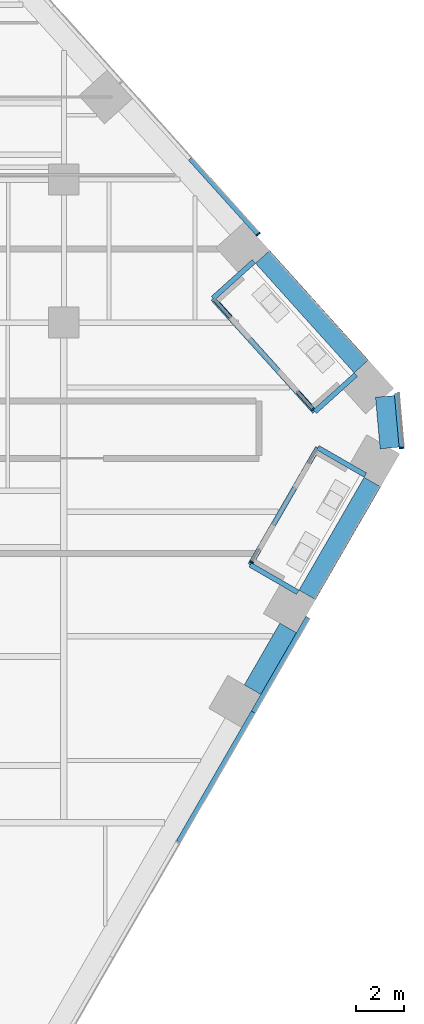
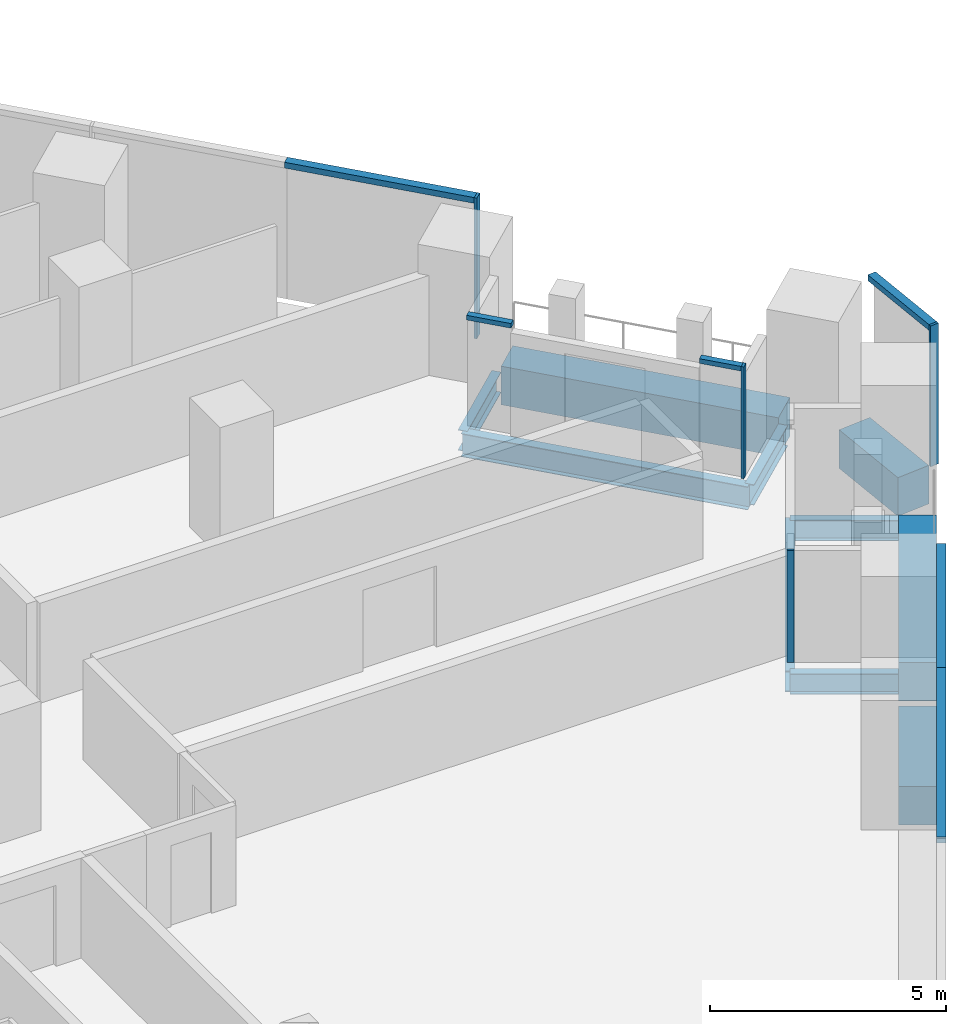
# One storey, part 14 of 31: 10 beams, 10 members, 5 elements without a shape of their own.
"""IFC4 building model written with IfcOpenShell, lengths in metres."""

from ifc_helpers import new_model, si_unit, direction, frame, origin, origin_2d, place, context, subcontext, project, spatial, rectangle, i_section, extrude, material, layer, layer_set, material_profile, profile_set, type_object, element, aggregate, save


model = new_model("IFC4")

# Units and contexts
model_context = context("Model", 3, precision=1e-05, world=origin(), true_north=direction((0.0, 1.0)))
body_context = subcontext(model_context, "Body", "Model", "MODEL_VIEW")
ifc_project = project(units=[si_unit("LENGTHUNIT", "METRE"), si_unit("AREAUNIT", "SQUARE_METRE"), si_unit("VOLUMEUNIT", "CUBIC_METRE"), si_unit("PLANEANGLEUNIT", "RADIAN"), si_unit("MASSUNIT", "GRAM", prefix="KILO")], contexts=[model_context])

# Site, building, storey
site_placement = place(None, origin())
site = spatial("IfcSite", under=ifc_project, at=site_placement, CompositionType="ELEMENT")
building_placement = place(site_placement, origin())
building = spatial("IfcBuilding", under=site, at=building_placement, Name="Isthmus Gate Tower", CompositionType="ELEMENT")
storey_placement = place(building_placement, frame((0.0, 0.0, 113.5)))
storey = spatial("IfcBuildingStorey", under=building, at=storey_placement, Name="L27", CompositionType="ELEMENT", Elevation=113.5)

# Curtain wall, member
ifc_material_1 = material(Name="Aluminium, pale champagne anodised", Category="aluminium")
ifc_layer_1 = layer(ifc_material_1, 0.199951171875)
ifc_layer_set_1 = layer_set([ifc_layer_1], Name="CW-1 UNITISED CURTAIN WALL 200 DEEP")
curtain_wall_type_1 = type_object("IfcCurtainWallType", Name="CW-1 UNITISED CURTAIN WALL 200 DEEP", PredefinedType="NOTDEFINED", material=ifc_layer_set_1)
curtain_wall_1_placement = place(storey_placement, origin())
curtain_wall_1 = element("IfcCurtainWall", 1, at=curtain_wall_1_placement, inside=storey, type_object=curtain_wall_type_1, Name="CW-1 SE-NE L27", PredefinedType="NOTDEFINED")
ifc_material_2 = material(Name="Aluminium, pale champagne anodised", Category="aluminium")
ifc_material_profile_1 = material_profile(ifc_material_2, rectangle(XDim=0.06005859375, YDim=0.199951171875, at=origin_2d()), Name="60x200")
ifc_profile_set_1 = profile_set([ifc_material_profile_1], Name="Aluminium, pale champagne anodised")
member_type_1 = type_object("IfcMemberType", Name="CW-1 MULLION 60 X 200", PredefinedType="MULLION", material=ifc_profile_set_1)
member_1_placement = place(storey_placement, frame((38.178955078125, 2.24169921875, 0.0), z_axis=(0.0, 0.0, 1.0), x_axis=(-0.089396669717, 0.995996102123, 0.0)))
member_1 = element("IfcMember", 2, at=member_1_placement, type_object=member_type_1, Name="CW-1 mullion", PredefinedType="MULLION", context=body_context, shape_type="SweptSolid", body=[
    extrude(rectangle(XDim=0.06005859375, YDim=0.199951171875, at=origin_2d()), origin(), (0.0, 0.0, 1.0), 3.64990234375),
])

curtain_wall_2_placement = place(storey_placement, origin())
curtain_wall_2 = element("IfcCurtainWall", 3, at=curtain_wall_2_placement, inside=storey, type_object=curtain_wall_type_1, Name="CW-1 NE L27", PredefinedType="NOTDEFINED")
member_2_placement = place(storey_placement, frame((32.16162109375, 11.208740234375, 0.0), z_axis=(0.0, 0.0, 1.0), x_axis=(-0.669130606359, 0.743144825477, 0.0)))
member_2 = element("IfcMember", 4, at=member_2_placement, type_object=member_type_1, Name="CW-1 mullion", PredefinedType="MULLION", context=body_context, shape_type="SweptSolid", body=[
    extrude(rectangle(XDim=0.06005859375, YDim=0.199951171875, at=origin_2d()), origin(), (0.0, 0.0, 1.0), 3.64990234375),
])

# Curtain wall, members
curtain_wall_3_placement = place(storey_placement, origin())
curtain_wall_3 = element("IfcCurtainWall", 5, at=curtain_wall_3_placement, inside=storey, type_object=curtain_wall_type_1, Name="CW-1 SE L27", PredefinedType="NOTDEFINED")
ifc_material_3 = material(Name="Aluminium, pale champagne anodised", Category="aluminium")
ifc_material_profile_2 = material_profile(ifc_material_3, rectangle(XDim=0.199951171875, YDim=0.14990234375, at=origin_2d()), Name="200x150")
ifc_profile_set_2 = profile_set([ifc_material_profile_2], Name="Aluminium, pale champagne anodised")
member_type_2 = type_object("IfcMemberType", Name="CW-1 TRANSOM 200 X 150", PredefinedType="USERDEFINED", material=ifc_profile_set_2)
member_3_placement = place(storey_placement, frame((28.817138671875, -14.287353515625, 3.574951171875), z_axis=(0.499995104884, 0.866028229963, 0.0), x_axis=(-0.866028229963, 0.499995104884, 0.0)))
member_3 = element("IfcMember", 6, at=member_3_placement, type_object=member_type_2, Name="CW-1 transom", ObjectType="TRANSOM", PredefinedType="USERDEFINED", context=body_context, shape_type="SweptSolid", body=[
    extrude(rectangle(XDim=0.199951171875, YDim=0.14990234375, at=origin_2d()), origin(), (0.0, 0.0, 1.0), 6.2783203125),
])
member_4_placement = place(storey_placement, frame((31.956298828125, -8.85009765625, 3.574951171875), z_axis=(0.499992401796, 0.866029790565, 0.0), x_axis=(-0.866029790565, 0.499992401796, 0.0)))
member_4 = element("IfcMember", 7, at=member_4_placement, type_object=member_type_2, Name="CW-1 transom", ObjectType="TRANSOM", PredefinedType="USERDEFINED", context=body_context, shape_type="SweptSolid", body=[
    extrude(rectangle(XDim=0.199951171875, YDim=0.14990234375, at=origin_2d()), origin(), (0.0, 0.0, 1.0), 4.5927734375),
])
aggregate(curtain_wall_3, [member_3, member_4])

# Member
member_5_placement = place(storey_placement, frame((38.17626953125, 2.271728515625, 3.574951171875), z_axis=(-0.089395362867, 0.995996219419, 0.0), x_axis=(-0.995996219419, -0.089395362867, 0.0)))
member_5 = element("IfcMember", 8, at=member_5_placement, type_object=member_type_2, Name="CW-1 transom", ObjectType="TRANSOM", PredefinedType="USERDEFINED", context=body_context, shape_type="SweptSolid", body=[
    extrude(rectangle(XDim=0.199951171875, YDim=0.14990234375, at=origin_2d()), origin(), (0.0, 0.0, 1.0), 2.258544921875),
])

aggregate(curtain_wall_1, [member_1, member_5])

member_6_placement = place(storey_placement, frame((32.141357421875, 11.23095703125, 3.574951171875), z_axis=(-0.669123979474, 0.743150792298, 0.0), x_axis=(-0.743150792298, -0.669123979474, 0.0)))
member_6 = element("IfcMember", 9, at=member_6_placement, type_object=member_type_2, Name="CW-1 transom", ObjectType="TRANSOM", PredefinedType="USERDEFINED", context=body_context, shape_type="SweptSolid", body=[
    extrude(rectangle(XDim=0.199951171875, YDim=0.14990234375, at=origin_2d()), origin(), (0.0, 0.0, 1.0), 4.234619140625),
])

aggregate(curtain_wall_2, [member_2, member_6])

# Curtain wall, member
ifc_material_4 = material(Name="Aluminium, pale champagne anodised", Category="aluminium")
ifc_layer_2 = layer(ifc_material_4, 0.14990234375)
ifc_layer_set_2 = layer_set([ifc_layer_2], Name="CW-6 LOGGIA BACK WALL GLAZING 150 DEEP")
curtain_wall_type_2 = type_object("IfcCurtainWallType", Name="CW-6 LOGGIA BACK WALL GLAZING 150 DEEP", PredefinedType="NOTDEFINED", material=ifc_layer_set_2)
curtain_wall_4_placement = place(storey_placement, origin())
curtain_wall_4 = element("IfcCurtainWall", 10, at=curtain_wall_4_placement, inside=storey, type_object=curtain_wall_type_2, Name="CW-6 SE L27", PredefinedType="NOTDEFINED")
ifc_material_5 = material(Name="Aluminium, pale champagne anodised", Category="aluminium")
ifc_material_profile_3 = material_profile(ifc_material_5, rectangle(XDim=0.06005859375, YDim=0.14990234375, at=origin_2d()), Name="60x150")
ifc_profile_set_3 = profile_set([ifc_material_profile_3], Name="Aluminium, pale champagne anodised")
member_type_3 = type_object("IfcMemberType", Name="CW-6 MULLION 60 X 150", PredefinedType="MULLION", material=ifc_profile_set_3)
member_7_placement = place(storey_placement, frame((31.896484375, -2.5537109375, 0.0), z_axis=(0.0, 0.0, 1.0), x_axis=(0.5, 0.866025403784, 0.0)))
member_7 = element("IfcMember", 11, at=member_7_placement, type_object=member_type_3, Name="CW-6 mullion", PredefinedType="MULLION", context=body_context, shape_type="SweptSolid", body=[
    extrude(rectangle(XDim=0.06005859375, YDim=0.14990234375, at=origin_2d()), origin(), (0.0, 0.0, 1.0), 2.89990234375),
])
aggregate(curtain_wall_4, [member_7])

# Curtain wall, members
curtain_wall_5_placement = place(storey_placement, origin())
curtain_wall_5 = element("IfcCurtainWall", 12, at=curtain_wall_5_placement, inside=storey, type_object=curtain_wall_type_2, Name="CW-6 NE L27", PredefinedType="NOTDEFINED")
member_8_placement = place(storey_placement, frame((34.460205078125, 3.873291015625, 0.0), z_axis=(0.0, 0.0, 1.0), x_axis=(-0.669130606359, 0.743144825477, 0.0)))
member_8 = element("IfcMember", 13, at=member_8_placement, type_object=member_type_3, Name="CW-6 mullion", PredefinedType="MULLION", context=body_context, shape_type="SweptSolid", body=[
    extrude(rectangle(XDim=0.06005859375, YDim=0.14990234375, at=origin_2d()), origin(), (0.0, 0.0, 1.0), 2.89990234375),
])
ifc_material_6 = material(Name="Aluminium, pale champagne anodised", Category="aluminium")
ifc_material_profile_4 = material_profile(ifc_material_6, rectangle(XDim=0.14990234375, YDim=0.1201171875, at=origin_2d()), Name="150x120")
ifc_profile_set_4 = profile_set([ifc_material_profile_4], Name="Aluminium, pale champagne anodised")
member_type_4 = type_object("IfcMemberType", Name="CW-6 TRANSOM 150 X 120", PredefinedType="USERDEFINED", material=ifc_profile_set_4)
member_9_placement = place(storey_placement, frame((34.440185546875, 3.895751953125, 2.840087890625), z_axis=(-0.669181163063, 0.743099300903, 0.0), x_axis=(-0.743099300903, -0.669181163063, 0.0)))
member_9 = element("IfcMember", 14, at=member_9_placement, type_object=member_type_4, Name="CW-6 transom", ObjectType="TRANSOM", PredefinedType="USERDEFINED", context=body_context, shape_type="SweptSolid", body=[
    extrude(rectangle(XDim=0.14990234375, YDim=0.1201171875, at=origin_2d()), origin(), (0.0, 0.0, 1.0), 0.934814453125),
])
member_10_placement = place(storey_placement, frame((31.00439453125, 7.71142578125, 2.840087890625), z_axis=(-0.669073206876, 0.74319650419, 0.0), x_axis=(-0.74319650419, -0.669073206876, 0.0)))
member_10 = element("IfcMember", 15, at=member_10_placement, type_object=member_type_4, Name="CW-6 transom", ObjectType="TRANSOM", PredefinedType="USERDEFINED", context=body_context, shape_type="SweptSolid", body=[
    extrude(rectangle(XDim=0.14990234375, YDim=0.1201171875, at=origin_2d()), origin(), (0.0, 0.0, 1.0), 0.99462890625),
])
aggregate(curtain_wall_5, [member_8, member_9, member_10])

# Beams
ifc_material_7 = material(Name="Concrete f'c 70 MPa", Category="concrete")
ifc_material_profile_5 = material_profile(ifc_material_7, rectangle(XDim=0.800048828125, YDim=1.0, at=origin_2d()), Name="RC 800X1000")
ifc_profile_set_5 = profile_set([ifc_material_profile_5], Name="Concrete f'c 70 MPa")
beam_type_1 = type_object("IfcBeamType", Name="RC SPANDREL 800 X 1000", PredefinedType="SPANDREL", material=ifc_profile_set_5)
beam_1_placement = place(storey_placement, frame((32.34521484375, 10.25732421875, -0.5), z_axis=(0.669139054219, -0.743137218903, 0.0), x_axis=(0.743137218903, 0.669139054219, 0.0)))
element("IfcBeam", 16, at=beam_1_placement, inside=storey, type_object=beam_type_1, Name="str-spandrel-L27-04", PredefinedType="SPANDREL", context=body_context, shape_type="SweptSolid", body=[
    extrude(rectangle(XDim=0.800048828125, YDim=1.0, at=origin_2d()), origin(), (0.0, 0.0, 1.0), 6.189453125),
])
beam_2_placement = place(storey_placement, frame((37.483154296875, 4.40185546875, -0.5), z_axis=(0.089421511639, -0.995993872098, 0.0), x_axis=(0.995993872098, 0.089421511639, 0.0)))
element("IfcBeam", 17, at=beam_2_placement, inside=storey, type_object=beam_type_1, Name="str-spandrel-L27-05", PredefinedType="SPANDREL", context=body_context, shape_type="SweptSolid", body=[
    extrude(rectangle(XDim=0.800048828125, YDim=1.0, at=origin_2d()), origin(), (0.0, 0.0, 1.0), 2.17333984375),
])
beam_3_placement = place(storey_placement, frame((36.95458984375, 0.80712890625, -0.5), z_axis=(-0.500008371742, -0.866020570303, 0.0), x_axis=(0.866020570303, -0.500008371742, 0.0)))
element("IfcBeam", 18, at=beam_3_placement, inside=storey, type_object=beam_type_1, Name="str-spandrel-L27-06", PredefinedType="SPANDREL", context=body_context, shape_type="SweptSolid", body=[
    extrude(rectangle(XDim=0.800048828125, YDim=1.0, at=origin_2d()), origin(), (0.0, 0.0, 1.0), 5.4697265625),
])
beam_4_placement = place(storey_placement, frame((33.419677734375, -5.315185546875, -0.5), z_axis=(-0.499955472713, -0.866051110099, 0.0), x_axis=(0.866051110099, -0.499955472713, 0.0)))
element("IfcBeam", 19, at=beam_4_placement, inside=storey, type_object=beam_type_1, Name="str-spandrel-L27-07", PredefinedType="SPANDREL", context=body_context, shape_type="SweptSolid", body=[
    extrude(rectangle(XDim=0.800048828125, YDim=1.0, at=origin_2d()), origin(), (0.0, 0.0, 1.0), 2.992919921875),
])
ifc_material_8 = material(Name="Structural steel ASTM A992 Gr 50", Category="steel")
ifc_material_profile_6 = material_profile(ifc_material_8, i_section(OverallWidth=0.20947265625, OverallDepth=0.533447265625, WebThickness=0.009521484375, FlangeThickness=0.015869140625, at=origin_2d()), Name="W21X62")
ifc_profile_set_6 = profile_set([ifc_material_profile_6], Name="Structural steel ASTM A992 Gr 50")
beam_type_2 = type_object("IfcBeamType", Name="STEEL TRIMMER W21X62", PredefinedType="BEAM", material=ifc_profile_set_6)
beam_5_placement = place(storey_placement, frame((31.824951171875, -2.66796875, -0.416748046875), z_axis=(0.50000898992, 0.86602021339, 0.0), x_axis=(-0.86602021339, 0.50000898992, 0.0)))
element("IfcBeam", 20, at=beam_5_placement, inside=storey, type_object=beam_type_2, Name="str-loggiatrim-L27-05-B", PredefinedType="BEAM", context=body_context, shape_type="SweptSolid", body=[
    extrude(i_section(OverallWidth=0.20947265625, OverallDepth=0.533447265625, WebThickness=0.009521484375, FlangeThickness=0.015869140625, at=origin_2d()), origin(), (0.0, 0.0, 1.0), 5.67919921875),
])
beam_6_placement = place(storey_placement, frame((33.821044921875, -3.8203125, -0.416748046875), z_axis=(-0.866044474677, 0.49996696679, 0.0), x_axis=(-0.49996696679, -0.866044474677, 0.0)))
element("IfcBeam", 21, at=beam_6_placement, inside=storey, type_object=beam_type_2, Name="str-loggiatrim-L27-05-A", PredefinedType="BEAM", context=body_context, shape_type="SweptSolid", body=[
    extrude(i_section(OverallWidth=0.20947265625, OverallDepth=0.533447265625, WebThickness=0.009521484375, FlangeThickness=0.015869140625, at=origin_2d()), origin(), (0.0, 0.0, 1.0), 2.304931640625),
])
beam_7_placement = place(storey_placement, frame((36.660400390625, 1.097900390625, -0.416748046875), z_axis=(-0.866017993231, 0.500012835235, 0.0), x_axis=(-0.500012835235, -0.866017993231, 0.0)))
element("IfcBeam", 22, at=beam_7_placement, inside=storey, type_object=beam_type_2, Name="str-loggiatrim-L27-05-C", PredefinedType="BEAM", context=body_context, shape_type="SweptSolid", body=[
    extrude(i_section(OverallWidth=0.20947265625, OverallDepth=0.533447265625, WebThickness=0.009521484375, FlangeThickness=0.015869140625, at=origin_2d()), origin(), (0.0, 0.0, 1.0), 2.3046875),
])
beam_8_placement = place(storey_placement, frame((36.259521484375, 5.312255859375, -0.416748046875), z_axis=(-0.74311576701, -0.669162877647, 0.0), x_axis=(0.669162877647, -0.74311576701, 0.0)))
element("IfcBeam", 23, at=beam_8_placement, inside=storey, type_object=beam_type_2, Name="str-loggiatrim-L27-06-A", PredefinedType="BEAM", context=body_context, shape_type="SweptSolid", body=[
    extrude(i_section(OverallWidth=0.20947265625, OverallDepth=0.533447265625, WebThickness=0.009521484375, FlangeThickness=0.015869140625, at=origin_2d()), origin(), (0.0, 0.0, 1.0), 2.314208984375),
])
beam_9_placement = place(storey_placement, frame((31.97802734375, 10.0673828125, -0.416748046875), z_axis=(-0.743163000468, -0.669110420436, 0.0), x_axis=(0.669110420436, -0.743163000468, 0.0)))
element("IfcBeam", 24, at=beam_9_placement, inside=storey, type_object=beam_type_2, Name="str-loggiatrim-L27-06-C", PredefinedType="BEAM", context=body_context, shape_type="SweptSolid", body=[
    extrude(i_section(OverallWidth=0.20947265625, OverallDepth=0.533447265625, WebThickness=0.009521484375, FlangeThickness=0.015869140625, at=origin_2d()), origin(), (0.0, 0.0, 1.0), 2.314453125),
])
ifc_material_9 = material(Name="Structural steel ASTM A992 Gr 50", Category="steel")
ifc_material_profile_7 = material_profile(ifc_material_9, i_section(OverallWidth=0.228515625, OverallDepth=0.603271484375, WebThickness=0.010986328125, FlangeThickness=0.014404296875, at=origin_2d()), Name="W24X68")
ifc_profile_set_7 = profile_set([ifc_material_profile_7], Name="Structural steel ASTM A992 Gr 50")
beam_type_3 = type_object("IfcBeamType", Name="STEEL TRIMMER W24X68", PredefinedType="BEAM", material=ifc_profile_set_7)
beam_10_placement = place(storey_placement, frame((34.539794921875, 3.763671875, -0.45166015625), z_axis=(-0.669148104307, 0.743129069881, 0.0), x_axis=(-0.743129069881, -0.669148104307, 0.0)))
element("IfcBeam", 25, at=beam_10_placement, inside=storey, type_object=beam_type_3, Name="str-loggiatrim-L27-06-B", PredefinedType="BEAM", context=body_context, shape_type="SweptSolid", body=[
    extrude(i_section(OverallWidth=0.228515625, OverallDepth=0.603271484375, WebThickness=0.010986328125, FlangeThickness=0.014404296875, at=origin_2d()), origin(), (0.0, 0.0, 1.0), 6.398681640625),
])

save(model, "model.ifc")
